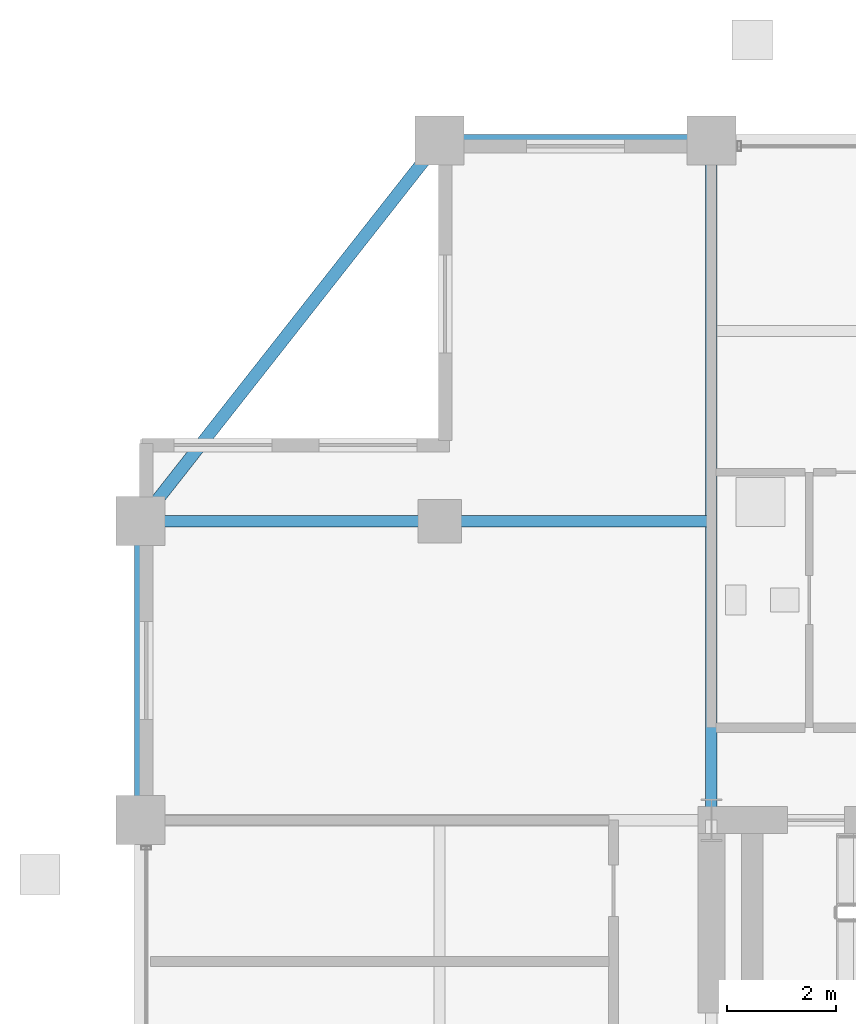
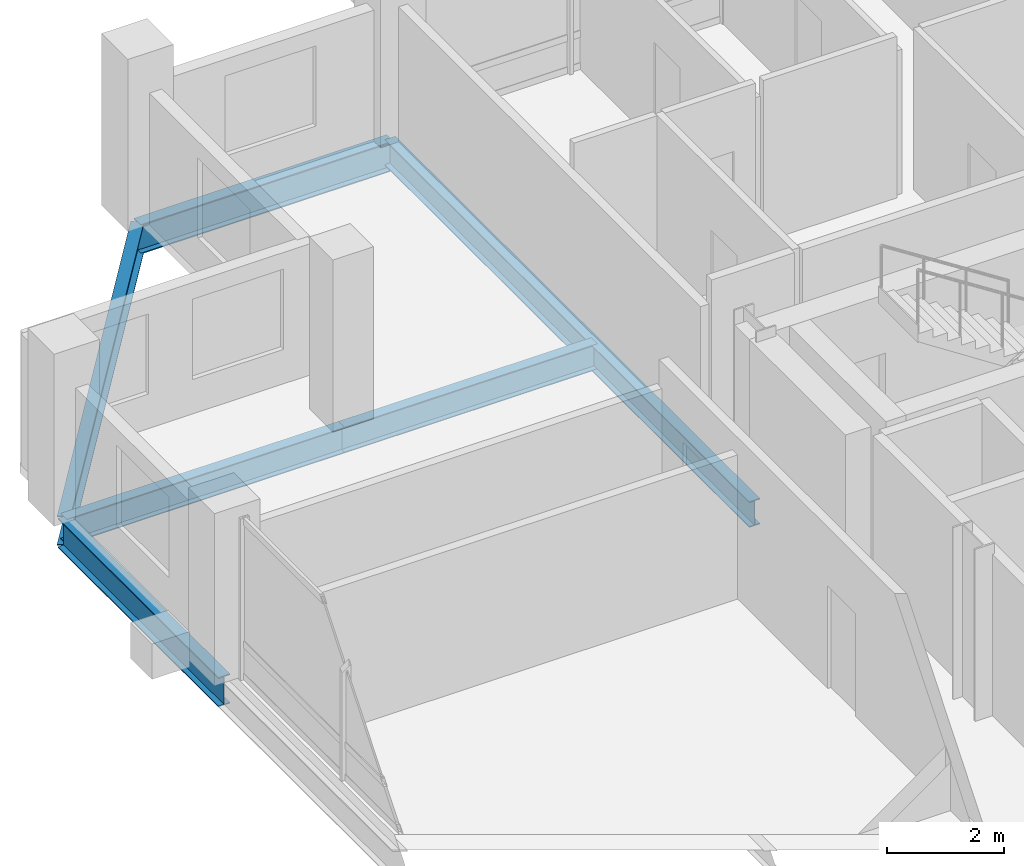
# One storey, part 11 of 21: 6 beams.
"""IFC4 building model written with IfcOpenShell, lengths in metres."""

from ifc_helpers import new_model, si_unit, direction, frame, origin, origin_2d, place, context, subcontext, project, spatial, i_section, extrude, material, material_profile, profile_set, type_object, element, save


model = new_model("IFC4")

# Units and contexts
model_context = context("Model", 3, precision=1e-05, world=origin(), true_north=direction((0.0, 1.0)))
body_context = subcontext(model_context, "Body", "Model", "MODEL_VIEW")
ifc_project = project(units=[si_unit("LENGTHUNIT", "METRE"), si_unit("AREAUNIT", "SQUARE_METRE"), si_unit("VOLUMEUNIT", "CUBIC_METRE"), si_unit("PLANEANGLEUNIT", "RADIAN"), si_unit("MASSUNIT", "GRAM", prefix="KILO")], contexts=[model_context])

# Site, building, storey
site_placement = place(None, origin())
site = spatial("IfcSite", under=ifc_project, at=site_placement, CompositionType="ELEMENT")
building_placement = place(site_placement, origin())
building = spatial("IfcBuilding", under=site, at=building_placement, Name="Barlavira Tower and Art Museum", CompositionType="ELEMENT")
storey_placement = place(building_placement, frame((0.0, 0.0, 233.10009765625)))
storey = spatial("IfcBuildingStorey", under=building, at=storey_placement, Name="L60", CompositionType="ELEMENT", Elevation=233.10009765625)

# Beams
ifc_material = material(Name="Steel S355", Category="steel")
ifc_material_profile_1 = material_profile(ifc_material, i_section(OverallWidth=0.22998046875, OverallDepth=0.616943359375, WebThickness=0.01318359375, FlangeThickness=0.022216796875, at=origin_2d()), Name="W610x140.0")
ifc_profile_set_1 = profile_set([ifc_material_profile_1], Name="Steel S355")
beam_type_1 = type_object("IfcBeamType", Name="Upper Shaft Spandrel Edge Beam W610x140 Steel S355", PredefinedType="SPANDREL", material=ifc_profile_set_1)
beam_1_placement = place(storey_placement, frame((-11.5, 20.0, -0.528564453125), z_axis=(1.0, 0.0, 0.0), x_axis=(0.0, 1.0, 0.0)))
element("IfcBeam", 1, at=beam_1_placement, inside=storey, type_object=beam_type_1, Name="L60 Spandrel 11", PredefinedType="SPANDREL", context=body_context, shape_type="SweptSolid", body=[
    extrude(i_section(OverallWidth=0.22998046875, OverallDepth=0.616943359375, WebThickness=0.01318359375, FlangeThickness=0.022216796875, at=origin_2d()), origin(), (0.0, 0.0, 1.0), 5.0),
])
beam_2_placement = place(storey_placement, frame((-11.5, 20.0, -0.528564453125), z_axis=(-0.617821551932, -0.786318338822, 0.0), x_axis=(0.786318338822, -0.617821551932, 0.0)))
element("IfcBeam", 2, at=beam_2_placement, inside=storey, type_object=beam_type_1, Name="L60 Spandrel 12", PredefinedType="SPANDREL", context=body_context, shape_type="SweptSolid", body=[
    extrude(i_section(OverallWidth=0.22998046875, OverallDepth=0.616943359375, WebThickness=0.01318359375, FlangeThickness=0.022216796875, at=origin_2d()), origin(), (0.0, 0.0, 1.0), 8.90234375),
])
beam_3_placement = place(storey_placement, frame((-17.0, 7.5, -0.528564453125), z_axis=(0.0, 1.0, 0.0), x_axis=(-1.0, 0.0, 0.0)))
element("IfcBeam", 3, at=beam_3_placement, inside=storey, type_object=beam_type_1, Name="L60 Spandrel 13", PredefinedType="SPANDREL", context=body_context, shape_type="SweptSolid", body=[
    extrude(i_section(OverallWidth=0.22998046875, OverallDepth=0.616943359375, WebThickness=0.01318359375, FlangeThickness=0.022216796875, at=origin_2d()), origin(), (0.0, 0.0, 1.0), 5.5),
])
ifc_material_profile_2 = material_profile(ifc_material, i_section(OverallWidth=0.2109375, OverallDepth=0.5390625, WebThickness=0.01171875, FlangeThickness=0.018798828125, at=origin_2d()), Name="W530x109.0")
ifc_profile_set_2 = profile_set([ifc_material_profile_2], Name="Steel S355")
beam_type_2 = type_object("IfcBeamType", Name="Zone 3-4 Primary Floor Girder W530x109 Steel S355", PredefinedType="BEAM", material=ifc_profile_set_2)
beam_4_placement = place(storey_placement, frame((-6.5, 7.5, -0.489501953125), z_axis=(0.0, 1.0, 0.0), x_axis=(-1.0, 0.0, 0.0)))
element("IfcBeam", 4, at=beam_4_placement, inside=storey, type_object=beam_type_2, Name="L60 Girder R-N1", PredefinedType="BEAM", context=body_context, shape_type="SweptSolid", body=[
    extrude(i_section(OverallWidth=0.2109375, OverallDepth=0.5390625, WebThickness=0.01171875, FlangeThickness=0.018798828125, at=origin_2d()), origin(), (0.0, 0.0, 1.0), 12.5),
])
beam_5_placement = place(storey_placement, frame((-17.0, 13.0, -0.489501953125), z_axis=(1.0, 0.0, 0.0), x_axis=(0.0, 1.0, 0.0)))
element("IfcBeam", 5, at=beam_5_placement, inside=storey, type_object=beam_type_2, Name="L60 Girder I-N1", PredefinedType="BEAM", context=body_context, shape_type="SweptSolid", body=[
    extrude(i_section(OverallWidth=0.2109375, OverallDepth=0.5390625, WebThickness=0.01171875, FlangeThickness=0.018798828125, at=origin_2d()), origin(), (0.0, 0.0, 1.0), 5.5),
])
beam_6_placement = place(storey_placement, frame((-11.5, 13.0, -0.489501953125), z_axis=(1.0, 0.0, 0.0), x_axis=(0.0, 1.0, 0.0)))
element("IfcBeam", 6, at=beam_6_placement, inside=storey, type_object=beam_type_2, Name="L60 Girder I-N2", PredefinedType="BEAM", context=body_context, shape_type="SweptSolid", body=[
    extrude(i_section(OverallWidth=0.2109375, OverallDepth=0.5390625, WebThickness=0.01171875, FlangeThickness=0.018798828125, at=origin_2d()), origin(), (0.0, 0.0, 1.0), 5.0),
])

save(model, "model.ifc")
